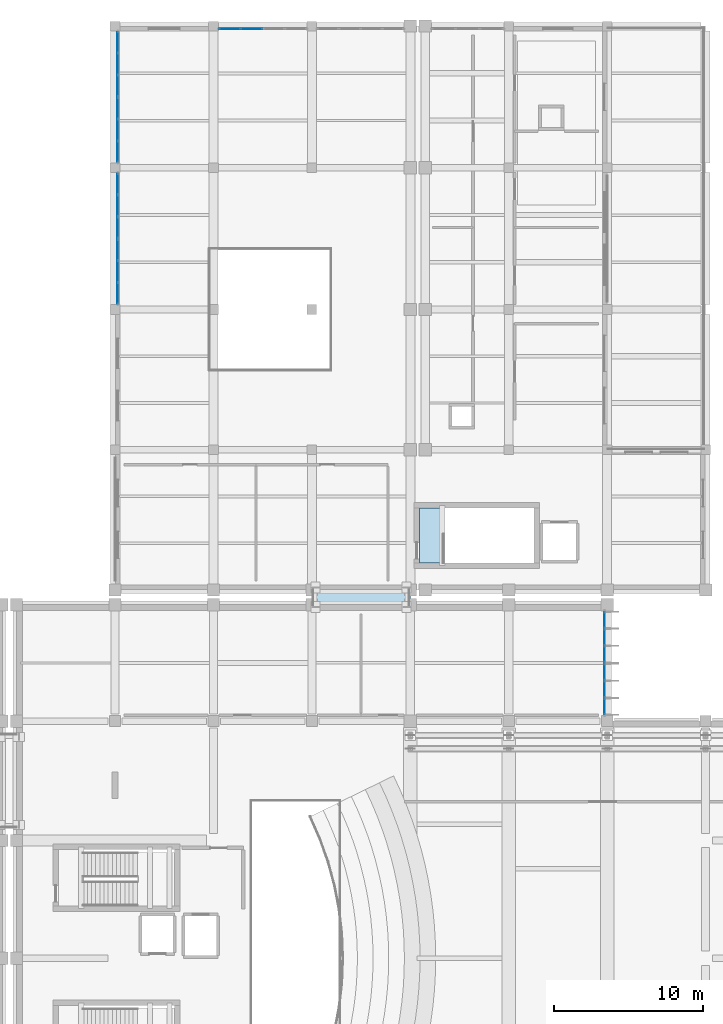
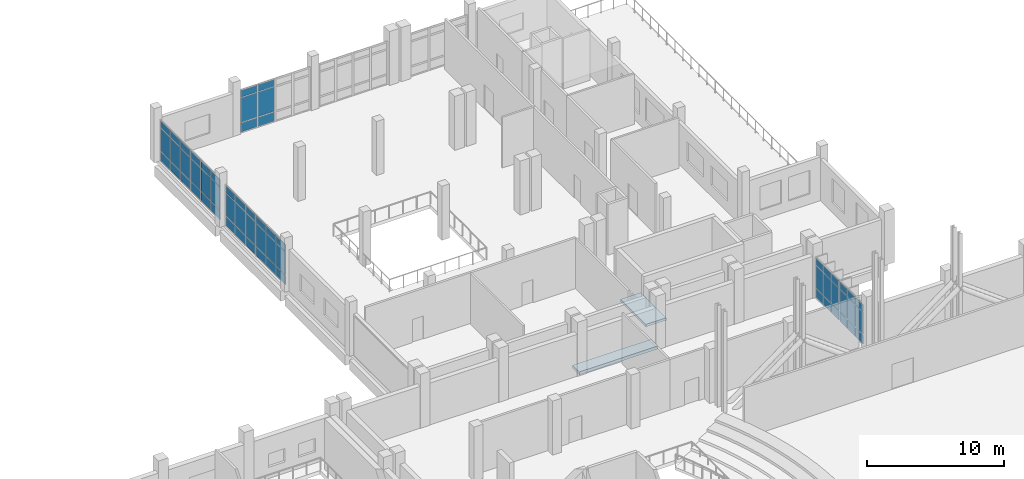
# One storey, part 44 of 73: 60 plates, 2 slabs, 7 elements without a shape of their own.
"""IFC4 building model written with IfcOpenShell, lengths in metres."""

import ifcopenshell
import ifcopenshell.guid

model = None  # the IFC model being written
_history = None  # IfcOwnerHistory: only IFC2X3 demands one
_inside = {}  # id of a spatial element -> (the spatial element, [elements in it])
_under = {}  # id of a project, library or spatial element -> (it, [spatial elements below it])
_declared = {}  # id of a project -> (the project, [libraries it declares])
_typed = {}  # id of a type object -> (the type object, [elements of that type])
_made_of = {}  # id of a material, layer set ... -> (it, [elements and type objects made of it])


def new_model(schema):
    """Start an empty IFC model of exactly this schema.

    Asked for "IFC4X3", IfcOpenShell would pick the latest addendum, in which some entities
    have other attributes; the version numbers below select the first issue.
    IFC2X3 requires an IfcOwnerHistory on every rooted entity: one is made here for all.
    """
    global model, _history
    if schema == "IFC4X3":
        model = ifcopenshell.file(schema_version=(4, 3, 0, 0))
    else:
        model = ifcopenshell.file(schema=schema)
    _inside.clear()
    _under.clear()
    _declared.clear()
    _typed.clear()
    _made_of.clear()
    _history = None
    if model.schema == "IFC2X3":
        org = make("IfcOrganization", Name="unknown")
        user = make(
            "IfcPersonAndOrganization",
            ThePerson=make("IfcPerson", FamilyName="unknown"),
            TheOrganization=org,
        )
        app = make(
            "IfcApplication",
            ApplicationDeveloper=org,
            Version="unknown",
            ApplicationFullName="unknown",
            ApplicationIdentifier="unknown",
        )
        _history = make(
            "IfcOwnerHistory",
            OwningUser=user,
            OwningApplication=app,
            ChangeAction="ADDED",
            CreationDate=0,
        )
    return model


def make(cls, **values):
    """One entity of the class cls with the attributes given. An attribute that is None is left unset."""
    return model.create_entity(
        cls, **{name: value for name, value in values.items() if value is not None}
    )


def rooted(cls, **values):
    """An entity with a GlobalId (a new one), such as an element, a storey or a relation."""
    return make(cls, GlobalId=ifcopenshell.guid.new(), OwnerHistory=_history, **values)


def si_unit(unit_type, name, prefix=None):
    """IfcSIUnit, for example si_unit("LENGTHUNIT", "METRE", prefix="MILLI")."""
    return make("IfcSIUnit", UnitType=unit_type, Prefix=prefix, Name=name)


def assignment(units):
    """IfcUnitAssignment: the units of a project."""
    return None if units is None else make("IfcUnitAssignment", Units=units)


def point(xyz):
    """IfcCartesianPoint."""
    return None if xyz is None else make("IfcCartesianPoint", Coordinates=xyz)


def direction(xyz):
    """IfcDirection."""
    return None if xyz is None else make("IfcDirection", DirectionRatios=xyz)


def frame(location, z_axis=None, x_axis=None):
    """IfcAxis2Placement3D, a coordinate frame: its origin and axes. An axis left out is left unset."""
    return make(
        "IfcAxis2Placement3D",
        Location=point(location),
        Axis=direction(z_axis),
        RefDirection=direction(x_axis),
    )


def frame_2d(location, x_axis=None):
    """IfcAxis2Placement2D, a coordinate frame in the plane: its origin and x axis."""
    return make(
        "IfcAxis2Placement2D", Location=point(location), RefDirection=direction(x_axis)
    )


def origin():
    """The frame at (0, 0, 0) with its axes left unset."""
    return frame((0.0, 0.0, 0.0))


def origin_2d():
    """The frame at (0, 0) in the plane with its x axis left unset."""
    return frame_2d((0.0, 0.0))


def place(relative_to, where):
    """IfcLocalPlacement: puts the frame where relative to a parent placement (None: the world)."""
    return make(
        "IfcLocalPlacement", PlacementRelTo=relative_to, RelativePlacement=where
    )


def context(
    kind, dimensions, precision=None, world=None, true_north=None, identifier=None
):
    """IfcGeometricRepresentationContext, for example the 3D "Model" context."""
    return make(
        "IfcGeometricRepresentationContext",
        ContextIdentifier=identifier,
        ContextType=kind,
        CoordinateSpaceDimension=dimensions,
        Precision=precision,
        WorldCoordinateSystem=world,
        TrueNorth=true_north,
    )


def subcontext(parent, identifier, kind, view, scale=None):
    """IfcGeometricRepresentationSubContext, for example "Body" below "Model"."""
    return make(
        "IfcGeometricRepresentationSubContext",
        ContextIdentifier=identifier,
        ContextType=kind,
        ParentContext=parent,
        TargetScale=scale,
        TargetView=view,
    )


def project(units=None, contexts=None):
    """IfcProject with its units and contexts."""
    return rooted(
        "IfcProject",
        Name="project",
        RepresentationContexts=contexts,
        UnitsInContext=assignment(units),
    )


def spatial(cls, under=None, at=None, **own):
    """A site, building, storey or space (cls), placed at a placement, below another one or the project."""
    s = rooted(cls, ObjectPlacement=at, **own)
    if under is not None:
        _under.setdefault(under.id(), (under, []))[1].append(s)
    return s


def polyline(points):
    """IfcPolyline through the points."""
    return make("IfcPolyline", Points=[point(p) for p in points])


def profile(cls, at=None, kind="AREA", **sizes):
    """A parametric profile (cls). Its sizes go by their IFC names, for example OverallWidth=200.0."""
    return make(cls, ProfileType=kind, Position=at, **sizes)


def rectangle(**sizes):
    """IfcRectangleProfileDef."""
    return profile("IfcRectangleProfileDef", **sizes)


def outline(outer, holes=None, kind="AREA"):
    """IfcArbitraryClosedProfileDef: a profile drawn as a closed curve; with holes, ...WithVoids."""
    if holes is None:
        return make("IfcArbitraryClosedProfileDef", ProfileType=kind, OuterCurve=outer)
    return make(
        "IfcArbitraryProfileDefWithVoids",
        ProfileType=kind,
        OuterCurve=outer,
        InnerCurves=holes,
    )


def extrude(swept, where, along, depth):
    """IfcExtrudedAreaSolid: the profile swept, set in the frame where, extruded along a direction by depth."""
    return make(
        "IfcExtrudedAreaSolid",
        SweptArea=swept,
        Position=where,
        ExtrudedDirection=direction(along),
        Depth=depth,
    )


def shape(context_of_items, identifier, shape_type, items):
    """IfcShapeRepresentation: the items that make up one representation, for example the "Body"."""
    return make(
        "IfcShapeRepresentation",
        ContextOfItems=context_of_items,
        RepresentationIdentifier=identifier,
        RepresentationType=shape_type,
        Items=items,
    )


def material(Name=None, Category=None):
    """IfcMaterial."""
    return make("IfcMaterial", Name=Name, Category=Category)


def layer(
    of_material, thickness, ventilated=None, Name=None, Category=None, Priority=None
):
    """IfcMaterialLayer: one layer of a wall or slab, of a material (None: an air gap)."""
    return make(
        "IfcMaterialLayer",
        Material=of_material,
        LayerThickness=thickness,
        IsVentilated=ventilated,
        Name=Name,
        Category=Category,
        Priority=Priority,
    )


def layer_set(layers, Name=None):
    """IfcMaterialLayerSet."""
    return make("IfcMaterialLayerSet", MaterialLayers=layers, LayerSetName=Name)


def made_of(thing, what):
    """Note that an element or type object is made of a material, layer set ...; save() writes the relation."""
    if what is not None:
        _made_of.setdefault(what.id(), (what, []))[1].append(thing)
    return thing


def type_object(cls, material=None, **own):
    """A type object (cls), such as IfcWallType, which elements share."""
    return made_of(rooted(cls, **own), material)


def element(
    cls,
    number,
    at=None,
    inside=None,
    cuts=None,
    type_object=None,
    material=None,
    context=None,
    identifier="Body",
    shape_type=None,
    held_by="IfcProductDefinitionShape",
    body=None,
    shapes=None,
    **own,
):
    """One element of the class cls, such as IfcWall. Its Tag is "e" and its number.

    at: its placement. inside: the storey or other place that contains it. cuts: it is an
    opening in that element (IfcRelVoidsElement). A single representation is given by context,
    identifier, shape_type and body (its items); several are given by shapes. held_by: the class
    of the entity that holds the representations. save() writes the other relations.
    """
    e = rooted(cls, Tag="e%d" % number, ObjectPlacement=at, **own)
    if body is not None:
        shapes = [shape(context, identifier, shape_type, body)]
    if shapes is not None:
        e.Representation = make(held_by, Representations=shapes)
    if inside is not None:
        _inside.setdefault(inside.id(), (inside, []))[1].append(e)
    if cuts is not None:
        rooted(
            "IfcRelVoidsElement", RelatingBuildingElement=cuts, RelatedOpeningElement=e
        )
    if type_object is not None:
        _typed.setdefault(type_object.id(), (type_object, []))[1].append(e)
    return made_of(e, material)


def aggregate(whole, parts):
    """IfcRelAggregates: a whole, such as a stair, and the parts it consists of."""
    return rooted("IfcRelAggregates", RelatingObject=whole, RelatedObjects=parts)


def save(model, path):
    """Write the relations noted so far, then the file.

    IfcRelAggregates (storeys below a building ...), IfcRelContainedInSpatialStructure (elements
    in a storey), IfcRelDefinesByType, IfcRelAssociatesMaterial and IfcRelDeclares: one each for
    every whole, place, type object, material and project.
    """
    for whole, parts in _under.values():
        aggregate(whole, parts)
    for where, things in _inside.values():
        rooted(
            "IfcRelContainedInSpatialStructure",
            RelatedElements=things,
            RelatingStructure=where,
        )
    for kind, things in _typed.values():
        rooted("IfcRelDefinesByType", RelatedObjects=things, RelatingType=kind)
    for what, things in _made_of.values():
        rooted("IfcRelAssociatesMaterial", RelatedObjects=things, RelatingMaterial=what)
    for by, libraries in _declared.values():
        rooted("IfcRelDeclares", RelatingContext=by, RelatedDefinitions=libraries)
    model.write(path)


model = new_model("IFC4")

# Units and contexts
model_context = context("Model", 3, precision=1e-05, world=origin(), true_north=direction((0.0, 1.0)))
body_context = subcontext(model_context, "Body", "Model", "MODEL_VIEW")
ifc_project = project(units=[si_unit("LENGTHUNIT", "METRE"), si_unit("AREAUNIT", "SQUARE_METRE"), si_unit("VOLUMEUNIT", "CUBIC_METRE"), si_unit("PLANEANGLEUNIT", "RADIAN"), si_unit("MASSUNIT", "GRAM", prefix="KILO")], contexts=[model_context])

# Site, building, storey
site_placement = place(None, origin())
site = spatial("IfcSite", under=ifc_project, at=site_placement, CompositionType="ELEMENT")
building_placement = place(site_placement, origin())
building = spatial("IfcBuilding", under=site, at=building_placement, Name="Kelarvand Opera House", CompositionType="ELEMENT")
storey_placement = place(building_placement, frame((0.0, 0.0, 10.199951171875)))
storey = spatial("IfcBuildingStorey", under=building, at=storey_placement, Name="L02", CompositionType="ELEMENT", Elevation=10.199951171875)

# Curtain wall, plates
ifc_material_1 = material(Name="Thermally broken aluminium and low-E glazing", Category="aluminium")
ifc_layer_1 = layer(ifc_material_1, 0.219970703125, Name="Thermally broken aluminium and low-E glazing", Category="aluminium")
ifc_layer_set_1 = layer_set([ifc_layer_1], Name="Thermally broken aluminium and low-E glazing")
curtain_wall_type_1 = type_object("IfcCurtainWallType", Name="Unitised Low-E Curtain Wall 3493x3630 Mod 1150 CWF-05", PredefinedType="USERDEFINED", material=ifc_layer_set_1)
curtain_wall_1_placement = place(storey_placement, origin())
curtain_wall_1 = element("IfcCurtainWall", 1, at=curtain_wall_1_placement, inside=storey, type_object=curtain_wall_type_1, Name="V1 L02 Curtain Wall CWF-05 (15)", ObjectType="UNITISED CURTAIN WALL", PredefinedType="USERDEFINED")
ifc_material_2 = material(Name="Acoustic triple-laminated low-E glazing", Category="glass")
ifc_layer_2 = layer(ifc_material_2, 0.0400390625, Name="Acoustic triple-laminated low-E glazing", Category="glass")
ifc_layer_set_2 = layer_set([ifc_layer_2], Name="Acoustic triple-laminated low-E glazing")
plate_type_1 = type_object("IfcPlateType", Name="Acoustic Laminated Plaza Curtain Panel 40mm", PredefinedType="CURTAIN_PANEL", material=ifc_layer_set_2)
plate_1_placement = place(storey_placement, frame((128.419921875, 85.178955078125, 0.074951171875), z_axis=(0.0, 0.0, 1.0), x_axis=(0.0, -1.0, 0.0)))
plate_1 = element("IfcPlate", 2, at=plate_1_placement, type_object=plate_type_1, Name="CWF-05 panel 1.1", PredefinedType="CURTAIN_PANEL", context=body_context, shape_type="SweptSolid", body=[
    extrude(rectangle(XDim=1.052001953125, YDim=0.0400390625, at=origin_2d()), origin(), (0.0, 0.0, 1.0), 0.78759765625),
])
plate_2_placement = place(storey_placement, frame((128.419921875, 85.178955078125, 0.9375), z_axis=(0.0, 0.0, 1.0), x_axis=(0.0, -1.0, 0.0)))
plate_2 = element("IfcPlate", 3, at=plate_2_placement, type_object=plate_type_1, Name="CWF-05 panel 1.2", PredefinedType="CURTAIN_PANEL", context=body_context, shape_type="SweptSolid", body=[
    extrude(rectangle(XDim=1.052001953125, YDim=0.0400390625, at=origin_2d()), origin(), (0.0, 0.0, 1.0), 1.955078125),
])
plate_3_placement = place(storey_placement, frame((128.419921875, 85.178955078125, 2.967529296875), z_axis=(0.0, 0.0, 1.0), x_axis=(0.0, -1.0, 0.0)))
plate_3 = element("IfcPlate", 4, at=plate_3_placement, type_object=plate_type_1, Name="CWF-05 panel 1.3", PredefinedType="CURTAIN_PANEL", context=body_context, shape_type="SweptSolid", body=[
    extrude(rectangle(XDim=1.052001953125, YDim=0.0400390625, at=origin_2d()), origin(), (0.0, 0.0, 1.0), 0.58740234375),
])
plate_4_placement = place(storey_placement, frame((128.419921875, 84.033203125, 0.074951171875), z_axis=(0.0, 0.0, 1.0), x_axis=(0.0, -1.0, 0.0)))
plate_4 = element("IfcPlate", 5, at=plate_4_placement, type_object=plate_type_1, Name="CWF-05 panel 2.1", PredefinedType="CURTAIN_PANEL", context=body_context, shape_type="SweptSolid", body=[
    extrude(rectangle(XDim=1.089599609375, YDim=0.0400390625, at=origin_2d()), origin(), (0.0, 0.0, 1.0), 0.78759765625),
])
plate_5_placement = place(storey_placement, frame((128.419921875, 84.033203125, 0.9375), z_axis=(0.0, 0.0, 1.0), x_axis=(0.0, -1.0, 0.0)))
plate_5 = element("IfcPlate", 6, at=plate_5_placement, type_object=plate_type_1, Name="CWF-05 panel 2.2", PredefinedType="CURTAIN_PANEL", context=body_context, shape_type="SweptSolid", body=[
    extrude(rectangle(XDim=1.089599609375, YDim=0.0400390625, at=origin_2d()), origin(), (0.0, 0.0, 1.0), 1.955078125),
])
plate_6_placement = place(storey_placement, frame((128.419921875, 84.033203125, 2.967529296875), z_axis=(0.0, 0.0, 1.0), x_axis=(0.0, -1.0, 0.0)))
plate_6 = element("IfcPlate", 7, at=plate_6_placement, type_object=plate_type_1, Name="CWF-05 panel 2.3", PredefinedType="CURTAIN_PANEL", context=body_context, shape_type="SweptSolid", body=[
    extrude(rectangle(XDim=1.089599609375, YDim=0.0400390625, at=origin_2d()), origin(), (0.0, 0.0, 1.0), 0.58740234375),
])
plate_7_placement = place(storey_placement, frame((128.419921875, 82.887451171875, 0.074951171875), z_axis=(0.0, 0.0, 1.0), x_axis=(0.0, -1.0, 0.0)))
plate_7 = element("IfcPlate", 8, at=plate_7_placement, type_object=plate_type_1, Name="CWF-05 panel 3.1", PredefinedType="CURTAIN_PANEL", context=body_context, shape_type="SweptSolid", body=[
    extrude(rectangle(XDim=1.052001953125, YDim=0.0400390625, at=origin_2d()), origin(), (0.0, 0.0, 1.0), 0.78759765625),
])
plate_8_placement = place(storey_placement, frame((128.419921875, 82.887451171875, 0.9375), z_axis=(0.0, 0.0, 1.0), x_axis=(0.0, -1.0, 0.0)))
plate_8 = element("IfcPlate", 9, at=plate_8_placement, type_object=plate_type_1, Name="CWF-05 panel 3.2", PredefinedType="CURTAIN_PANEL", context=body_context, shape_type="SweptSolid", body=[
    extrude(rectangle(XDim=1.052001953125, YDim=0.0400390625, at=origin_2d()), origin(), (0.0, 0.0, 1.0), 1.955078125),
])
plate_9_placement = place(storey_placement, frame((128.419921875, 82.887451171875, 2.967529296875), z_axis=(0.0, 0.0, 1.0), x_axis=(0.0, -1.0, 0.0)))
plate_9 = element("IfcPlate", 10, at=plate_9_placement, type_object=plate_type_1, Name="CWF-05 panel 3.3", PredefinedType="CURTAIN_PANEL", context=body_context, shape_type="SweptSolid", body=[
    extrude(rectangle(XDim=1.052001953125, YDim=0.0400390625, at=origin_2d()), origin(), (0.0, 0.0, 1.0), 0.58740234375),
])
aggregate(curtain_wall_1, [plate_1, plate_2, plate_3, plate_4, plate_5, plate_6, plate_7, plate_8, plate_9])

curtain_wall_2_placement = place(storey_placement, origin())
curtain_wall_2 = element("IfcCurtainWall", 11, at=curtain_wall_2_placement, inside=storey, type_object=curtain_wall_type_1, Name="V1 L02 Curtain Wall CWF-05 (16)", ObjectType="UNITISED CURTAIN WALL", PredefinedType="USERDEFINED")
plate_10_placement = place(storey_placement, frame((128.419921875, 81.680908203125, 0.074951171875), z_axis=(0.0, 0.0, 1.0), x_axis=(0.0, -1.0, 0.0)))
plate_10 = element("IfcPlate", 12, at=plate_10_placement, type_object=plate_type_1, Name="CWF-05 panel 1.1", PredefinedType="CURTAIN_PANEL", context=body_context, shape_type="SweptSolid", body=[
    extrude(rectangle(XDim=1.05322265625, YDim=0.0400390625, at=origin_2d()), origin(), (0.0, 0.0, 1.0), 0.78759765625),
])
plate_11_placement = place(storey_placement, frame((128.419921875, 81.680908203125, 0.9375), z_axis=(0.0, 0.0, 1.0), x_axis=(0.0, -1.0, 0.0)))
plate_11 = element("IfcPlate", 13, at=plate_11_placement, type_object=plate_type_1, Name="CWF-05 panel 1.2", PredefinedType="CURTAIN_PANEL", context=body_context, shape_type="SweptSolid", body=[
    extrude(rectangle(XDim=1.05322265625, YDim=0.0400390625, at=origin_2d()), origin(), (0.0, 0.0, 1.0), 1.955078125),
])
plate_12_placement = place(storey_placement, frame((128.419921875, 81.680908203125, 2.967529296875), z_axis=(0.0, 0.0, 1.0), x_axis=(0.0, -1.0, 0.0)))
plate_12 = element("IfcPlate", 14, at=plate_12_placement, type_object=plate_type_1, Name="CWF-05 panel 1.3", PredefinedType="CURTAIN_PANEL", context=body_context, shape_type="SweptSolid", body=[
    extrude(rectangle(XDim=1.05322265625, YDim=0.0400390625, at=origin_2d()), origin(), (0.0, 0.0, 1.0), 0.58740234375),
])
plate_13_placement = place(storey_placement, frame((128.419921875, 80.53369140625, 0.074951171875), z_axis=(0.0, 0.0, 1.0), x_axis=(0.0, -1.0, 0.0)))
plate_13 = element("IfcPlate", 15, at=plate_13_placement, type_object=plate_type_1, Name="CWF-05 panel 2.1", PredefinedType="CURTAIN_PANEL", context=body_context, shape_type="SweptSolid", body=[
    extrude(rectangle(XDim=1.0908203125, YDim=0.0400390625, at=origin_2d()), origin(), (0.0, 0.0, 1.0), 0.78759765625),
])
plate_14_placement = place(storey_placement, frame((128.419921875, 80.53369140625, 0.9375), z_axis=(0.0, 0.0, 1.0), x_axis=(0.0, -1.0, 0.0)))
plate_14 = element("IfcPlate", 16, at=plate_14_placement, type_object=plate_type_1, Name="CWF-05 panel 2.2", PredefinedType="CURTAIN_PANEL", context=body_context, shape_type="SweptSolid", body=[
    extrude(rectangle(XDim=1.0908203125, YDim=0.0400390625, at=origin_2d()), origin(), (0.0, 0.0, 1.0), 1.955078125),
])
plate_15_placement = place(storey_placement, frame((128.419921875, 80.53369140625, 2.967529296875), z_axis=(0.0, 0.0, 1.0), x_axis=(0.0, -1.0, 0.0)))
plate_15 = element("IfcPlate", 17, at=plate_15_placement, type_object=plate_type_1, Name="CWF-05 panel 2.3", PredefinedType="CURTAIN_PANEL", context=body_context, shape_type="SweptSolid", body=[
    extrude(rectangle(XDim=1.0908203125, YDim=0.0400390625, at=origin_2d()), origin(), (0.0, 0.0, 1.0), 0.58740234375),
])
plate_16_placement = place(storey_placement, frame((128.419921875, 79.38671875, 0.074951171875), z_axis=(0.0, 0.0, 1.0), x_axis=(0.0, -1.0, 0.0)))
plate_16 = element("IfcPlate", 18, at=plate_16_placement, type_object=plate_type_1, Name="CWF-05 panel 3.1", PredefinedType="CURTAIN_PANEL", context=body_context, shape_type="SweptSolid", body=[
    extrude(rectangle(XDim=1.05322265625, YDim=0.0400390625, at=origin_2d()), origin(), (0.0, 0.0, 1.0), 0.78759765625),
])
plate_17_placement = place(storey_placement, frame((128.419921875, 79.38671875, 0.9375), z_axis=(0.0, 0.0, 1.0), x_axis=(0.0, -1.0, 0.0)))
plate_17 = element("IfcPlate", 19, at=plate_17_placement, type_object=plate_type_1, Name="CWF-05 panel 3.2", PredefinedType="CURTAIN_PANEL", context=body_context, shape_type="SweptSolid", body=[
    extrude(rectangle(XDim=1.05322265625, YDim=0.0400390625, at=origin_2d()), origin(), (0.0, 0.0, 1.0), 1.955078125),
])
plate_18_placement = place(storey_placement, frame((128.419921875, 79.38671875, 2.967529296875), z_axis=(0.0, 0.0, 1.0), x_axis=(0.0, -1.0, 0.0)))
plate_18 = element("IfcPlate", 20, at=plate_18_placement, type_object=plate_type_1, Name="CWF-05 panel 3.3", PredefinedType="CURTAIN_PANEL", context=body_context, shape_type="SweptSolid", body=[
    extrude(rectangle(XDim=1.05322265625, YDim=0.0400390625, at=origin_2d()), origin(), (0.0, 0.0, 1.0), 0.58740234375),
])
aggregate(curtain_wall_2, [plate_10, plate_11, plate_12, plate_13, plate_14, plate_15, plate_16, plate_17, plate_18])

# Slab
ifc_material_3 = material(Name="Concrete C35/45", Category="concrete")
ifc_layer_3 = layer(ifc_material_3, 0.219970703125, Name="Concrete C35/45", Category="concrete")
ifc_layer_set_3 = layer_set([ifc_layer_3], Name="Concrete C35/45")
slab_type_1 = type_object("IfcSlabType", Name="Core Stair Entry Landing Slab 220", PredefinedType="LANDING", material=ifc_layer_set_3)
slab_1_placement = place(storey_placement, frame((0.0, 0.0, -0.219970703125)))
element("IfcSlab", 21, at=slab_1_placement, inside=storey, type_object=slab_type_1, Name="C7 Stair Entry Landing L02", PredefinedType="LANDING", context=body_context, shape_type="SweptSolid", body=[
    extrude(outline(polyline([(116.0, 89.0), (117.719970703125, 89.0), (117.719970703125, 92.699951171875), (116.0, 92.699951171875), (116.0, 89.0)])), origin(), (0.0, 0.0, 1.0), 0.219970703125),
])

# Curtain wall, plates
ifc_layer_4 = layer(ifc_material_1, 0.179931640625, Name="Thermally broken aluminium and low-E glazing", Category="aluminium")
ifc_layer_set_4 = layer_set([ifc_layer_4], Name="Thermally broken aluminium and low-E glazing")
curtain_wall_type_2 = type_object("IfcCurtainWallType", Name="Unitised Low-E Curtain Wall 4411x3680 Mod 1450 CWF-47", PredefinedType="USERDEFINED", material=ifc_layer_set_4)
curtain_wall_3_placement = place(storey_placement, origin())
curtain_wall_3 = element("IfcCurtainWall", 22, at=curtain_wall_3_placement, inside=storey, type_object=curtain_wall_type_2, Name="V5 L02 Curtain Wall CWF-47 (190)", ObjectType="UNITISED CURTAIN WALL", PredefinedType="USERDEFINED")
ifc_material_4 = material(Name="Low-E laminated double glazing", Category="glass")
ifc_layer_5 = layer(ifc_material_4, 0.031982421875, Name="Low-E laminated double glazing", Category="glass")
ifc_layer_set_5 = layer_set([ifc_layer_5], Name="Low-E laminated double glazing")
plate_type_2 = type_object("IfcPlateType", Name="Low-E Argon Double Glazed Curtain Panel 32mm", PredefinedType="CURTAIN_PANEL", material=ifc_layer_set_5)
plate_19_placement = place(storey_placement, frame((95.780029296875, 107.08642578125, 0.06494140625), z_axis=(0.0, 0.0, 1.0), x_axis=(0.0, 1.0, 0.0)))
plate_19 = element("IfcPlate", 23, at=plate_19_placement, type_object=plate_type_2, Name="CWF-47 panel 1.1", PredefinedType="CURTAIN_PANEL", context=body_context, shape_type="SweptSolid", body=[
    extrude(rectangle(XDim=1.372802734375, YDim=0.031982421875, at=origin_2d()), origin(), (0.0, 0.0, 1.0), 0.802490234375),
])
plate_20_placement = place(storey_placement, frame((95.780029296875, 107.08642578125, 0.9326171875), z_axis=(0.0, 0.0, 1.0), x_axis=(0.0, 1.0, 0.0)))
plate_20 = element("IfcPlate", 24, at=plate_20_placement, type_object=plate_type_2, Name="CWF-47 panel 1.2", PredefinedType="CURTAIN_PANEL", context=body_context, shape_type="SweptSolid", body=[
    extrude(rectangle(XDim=1.372802734375, YDim=0.031982421875, at=origin_2d()), origin(), (0.0, 0.0, 1.0), 2.014892578125),
])
plate_21_placement = place(storey_placement, frame((95.780029296875, 107.08642578125, 3.012451171875), z_axis=(0.0, 0.0, 1.0), x_axis=(0.0, 1.0, 0.0)))
plate_21 = element("IfcPlate", 25, at=plate_21_placement, type_object=plate_type_2, Name="CWF-47 panel 1.3", PredefinedType="CURTAIN_PANEL", context=body_context, shape_type="SweptSolid", body=[
    extrude(rectangle(XDim=1.372802734375, YDim=0.031982421875, at=origin_2d()), origin(), (0.0, 0.0, 1.0), 0.6025390625),
])
plate_22_placement = place(storey_placement, frame((95.780029296875, 108.54052734375, 0.06494140625), z_axis=(0.0, 0.0, 1.0), x_axis=(0.0, 1.0, 0.0)))
plate_22 = element("IfcPlate", 26, at=plate_22_placement, type_object=plate_type_2, Name="CWF-47 panel 2.1", PredefinedType="CURTAIN_PANEL", context=body_context, shape_type="SweptSolid", body=[
    extrude(rectangle(XDim=1.4052734375, YDim=0.031982421875, at=origin_2d()), origin(), (0.0, 0.0, 1.0), 0.802490234375),
])
plate_23_placement = place(storey_placement, frame((95.780029296875, 108.54052734375, 0.9326171875), z_axis=(0.0, 0.0, 1.0), x_axis=(0.0, 1.0, 0.0)))
plate_23 = element("IfcPlate", 27, at=plate_23_placement, type_object=plate_type_2, Name="CWF-47 panel 2.2", PredefinedType="CURTAIN_PANEL", context=body_context, shape_type="SweptSolid", body=[
    extrude(rectangle(XDim=1.4052734375, YDim=0.031982421875, at=origin_2d()), origin(), (0.0, 0.0, 1.0), 2.014892578125),
])
plate_24_placement = place(storey_placement, frame((95.780029296875, 108.54052734375, 3.012451171875), z_axis=(0.0, 0.0, 1.0), x_axis=(0.0, 1.0, 0.0)))
plate_24 = element("IfcPlate", 28, at=plate_24_placement, type_object=plate_type_2, Name="CWF-47 panel 2.3", PredefinedType="CURTAIN_PANEL", context=body_context, shape_type="SweptSolid", body=[
    extrude(rectangle(XDim=1.4052734375, YDim=0.031982421875, at=origin_2d()), origin(), (0.0, 0.0, 1.0), 0.6025390625),
])
plate_25_placement = place(storey_placement, frame((95.780029296875, 109.99462890625, 0.06494140625), z_axis=(0.0, 0.0, 1.0), x_axis=(0.0, 1.0, 0.0)))
plate_25 = element("IfcPlate", 29, at=plate_25_placement, type_object=plate_type_2, Name="CWF-47 panel 3.1", PredefinedType="CURTAIN_PANEL", context=body_context, shape_type="SweptSolid", body=[
    extrude(rectangle(XDim=1.372802734375, YDim=0.031982421875, at=origin_2d()), origin(), (0.0, 0.0, 1.0), 0.802490234375),
])
plate_26_placement = place(storey_placement, frame((95.780029296875, 109.99462890625, 0.9326171875), z_axis=(0.0, 0.0, 1.0), x_axis=(0.0, 1.0, 0.0)))
plate_26 = element("IfcPlate", 30, at=plate_26_placement, type_object=plate_type_2, Name="CWF-47 panel 3.2", PredefinedType="CURTAIN_PANEL", context=body_context, shape_type="SweptSolid", body=[
    extrude(rectangle(XDim=1.372802734375, YDim=0.031982421875, at=origin_2d()), origin(), (0.0, 0.0, 1.0), 2.014892578125),
])
plate_27_placement = place(storey_placement, frame((95.780029296875, 109.99462890625, 3.012451171875), z_axis=(0.0, 0.0, 1.0), x_axis=(0.0, 1.0, 0.0)))
plate_27 = element("IfcPlate", 31, at=plate_27_placement, type_object=plate_type_2, Name="CWF-47 panel 3.3", PredefinedType="CURTAIN_PANEL", context=body_context, shape_type="SweptSolid", body=[
    extrude(rectangle(XDim=1.372802734375, YDim=0.031982421875, at=origin_2d()), origin(), (0.0, 0.0, 1.0), 0.6025390625),
])
aggregate(curtain_wall_3, [plate_19, plate_20, plate_21, plate_22, plate_23, plate_24, plate_25, plate_26, plate_27])

curtain_wall_4_placement = place(storey_placement, origin())
curtain_wall_4 = element("IfcCurtainWall", 32, at=curtain_wall_4_placement, inside=storey, type_object=curtain_wall_type_2, Name="V5 L02 Curtain Wall CWF-47 (191)", ObjectType="UNITISED CURTAIN WALL", PredefinedType="USERDEFINED")
plate_28_placement = place(storey_placement, frame((95.780029296875, 111.502197265625, 0.06494140625), z_axis=(0.0, 0.0, 1.0), x_axis=(0.0, 1.0, 0.0)))
plate_28 = element("IfcPlate", 33, at=plate_28_placement, type_object=plate_type_2, Name="CWF-47 panel 1.1", PredefinedType="CURTAIN_PANEL", context=body_context, shape_type="SweptSolid", body=[
    extrude(rectangle(XDim=1.374267578125, YDim=0.031982421875, at=origin_2d()), origin(), (0.0, 0.0, 1.0), 0.802490234375),
])
plate_29_placement = place(storey_placement, frame((95.780029296875, 111.502197265625, 0.9326171875), z_axis=(0.0, 0.0, 1.0), x_axis=(0.0, 1.0, 0.0)))
plate_29 = element("IfcPlate", 34, at=plate_29_placement, type_object=plate_type_2, Name="CWF-47 panel 1.2", PredefinedType="CURTAIN_PANEL", context=body_context, shape_type="SweptSolid", body=[
    extrude(rectangle(XDim=1.374267578125, YDim=0.031982421875, at=origin_2d()), origin(), (0.0, 0.0, 1.0), 2.014892578125),
])
plate_30_placement = place(storey_placement, frame((95.780029296875, 111.502197265625, 3.012451171875), z_axis=(0.0, 0.0, 1.0), x_axis=(0.0, 1.0, 0.0)))
plate_30 = element("IfcPlate", 35, at=plate_30_placement, type_object=plate_type_2, Name="CWF-47 panel 1.3", PredefinedType="CURTAIN_PANEL", context=body_context, shape_type="SweptSolid", body=[
    extrude(rectangle(XDim=1.374267578125, YDim=0.031982421875, at=origin_2d()), origin(), (0.0, 0.0, 1.0), 0.6025390625),
])
plate_31_placement = place(storey_placement, frame((95.780029296875, 112.95751953125, 0.06494140625), z_axis=(0.0, 0.0, 1.0), x_axis=(0.0, 1.0, 0.0)))
plate_31 = element("IfcPlate", 36, at=plate_31_placement, type_object=plate_type_2, Name="CWF-47 panel 2.1", PredefinedType="CURTAIN_PANEL", context=body_context, shape_type="SweptSolid", body=[
    extrude(rectangle(XDim=1.40673828125, YDim=0.031982421875, at=origin_2d()), origin(), (0.0, 0.0, 1.0), 0.802490234375),
])
plate_32_placement = place(storey_placement, frame((95.780029296875, 112.95751953125, 0.9326171875), z_axis=(0.0, 0.0, 1.0), x_axis=(0.0, 1.0, 0.0)))
plate_32 = element("IfcPlate", 37, at=plate_32_placement, type_object=plate_type_2, Name="CWF-47 panel 2.2", PredefinedType="CURTAIN_PANEL", context=body_context, shape_type="SweptSolid", body=[
    extrude(rectangle(XDim=1.40673828125, YDim=0.031982421875, at=origin_2d()), origin(), (0.0, 0.0, 1.0), 2.014892578125),
])
plate_33_placement = place(storey_placement, frame((95.780029296875, 112.95751953125, 3.012451171875), z_axis=(0.0, 0.0, 1.0), x_axis=(0.0, 1.0, 0.0)))
plate_33 = element("IfcPlate", 38, at=plate_33_placement, type_object=plate_type_2, Name="CWF-47 panel 2.3", PredefinedType="CURTAIN_PANEL", context=body_context, shape_type="SweptSolid", body=[
    extrude(rectangle(XDim=1.40673828125, YDim=0.031982421875, at=origin_2d()), origin(), (0.0, 0.0, 1.0), 0.6025390625),
])
plate_34_placement = place(storey_placement, frame((95.780029296875, 114.412841796875, 0.06494140625), z_axis=(0.0, 0.0, 1.0), x_axis=(0.0, 1.0, 0.0)))
plate_34 = element("IfcPlate", 39, at=plate_34_placement, type_object=plate_type_2, Name="CWF-47 panel 3.1", PredefinedType="CURTAIN_PANEL", context=body_context, shape_type="SweptSolid", body=[
    extrude(rectangle(XDim=1.374267578125, YDim=0.031982421875, at=origin_2d()), origin(), (0.0, 0.0, 1.0), 0.802490234375),
])
plate_35_placement = place(storey_placement, frame((95.780029296875, 114.412841796875, 0.9326171875), z_axis=(0.0, 0.0, 1.0), x_axis=(0.0, 1.0, 0.0)))
plate_35 = element("IfcPlate", 40, at=plate_35_placement, type_object=plate_type_2, Name="CWF-47 panel 3.2", PredefinedType="CURTAIN_PANEL", context=body_context, shape_type="SweptSolid", body=[
    extrude(rectangle(XDim=1.374267578125, YDim=0.031982421875, at=origin_2d()), origin(), (0.0, 0.0, 1.0), 2.014892578125),
])
plate_36_placement = place(storey_placement, frame((95.780029296875, 114.412841796875, 3.012451171875), z_axis=(0.0, 0.0, 1.0), x_axis=(0.0, 1.0, 0.0)))
plate_36 = element("IfcPlate", 41, at=plate_36_placement, type_object=plate_type_2, Name="CWF-47 panel 3.3", PredefinedType="CURTAIN_PANEL", context=body_context, shape_type="SweptSolid", body=[
    extrude(rectangle(XDim=1.374267578125, YDim=0.031982421875, at=origin_2d()), origin(), (0.0, 0.0, 1.0), 0.6025390625),
])
aggregate(curtain_wall_4, [plate_28, plate_29, plate_30, plate_31, plate_32, plate_33, plate_34, plate_35, plate_36])

curtain_wall_5_placement = place(storey_placement, origin())
curtain_wall_5 = element("IfcCurtainWall", 42, at=curtain_wall_5_placement, inside=storey, type_object=curtain_wall_type_2, Name="V5 L02 Curtain Wall CWF-47 (192)", ObjectType="UNITISED CURTAIN WALL", PredefinedType="USERDEFINED")
plate_37_placement = place(storey_placement, frame((95.780029296875, 116.58642578125, 0.06494140625), z_axis=(0.0, 0.0, 1.0), x_axis=(0.0, 1.0, 0.0)))
plate_37 = element("IfcPlate", 43, at=plate_37_placement, type_object=plate_type_2, Name="CWF-47 panel 1.1", PredefinedType="CURTAIN_PANEL", context=body_context, shape_type="SweptSolid", body=[
    extrude(rectangle(XDim=1.372802734375, YDim=0.031982421875, at=origin_2d()), origin(), (0.0, 0.0, 1.0), 0.802490234375),
])
plate_38_placement = place(storey_placement, frame((95.780029296875, 116.58642578125, 0.9326171875), z_axis=(0.0, 0.0, 1.0), x_axis=(0.0, 1.0, 0.0)))
plate_38 = element("IfcPlate", 44, at=plate_38_placement, type_object=plate_type_2, Name="CWF-47 panel 1.2", PredefinedType="CURTAIN_PANEL", context=body_context, shape_type="SweptSolid", body=[
    extrude(rectangle(XDim=1.372802734375, YDim=0.031982421875, at=origin_2d()), origin(), (0.0, 0.0, 1.0), 2.014892578125),
])
plate_39_placement = place(storey_placement, frame((95.780029296875, 116.58642578125, 3.012451171875), z_axis=(0.0, 0.0, 1.0), x_axis=(0.0, 1.0, 0.0)))
plate_39 = element("IfcPlate", 45, at=plate_39_placement, type_object=plate_type_2, Name="CWF-47 panel 1.3", PredefinedType="CURTAIN_PANEL", context=body_context, shape_type="SweptSolid", body=[
    extrude(rectangle(XDim=1.372802734375, YDim=0.031982421875, at=origin_2d()), origin(), (0.0, 0.0, 1.0), 0.6025390625),
])
plate_40_placement = place(storey_placement, frame((95.780029296875, 118.04052734375, 0.06494140625), z_axis=(0.0, 0.0, 1.0), x_axis=(0.0, 1.0, 0.0)))
plate_40 = element("IfcPlate", 46, at=plate_40_placement, type_object=plate_type_2, Name="CWF-47 panel 2.1", PredefinedType="CURTAIN_PANEL", context=body_context, shape_type="SweptSolid", body=[
    extrude(rectangle(XDim=1.4052734375, YDim=0.031982421875, at=origin_2d()), origin(), (0.0, 0.0, 1.0), 0.802490234375),
])
plate_41_placement = place(storey_placement, frame((95.780029296875, 118.04052734375, 0.9326171875), z_axis=(0.0, 0.0, 1.0), x_axis=(0.0, 1.0, 0.0)))
plate_41 = element("IfcPlate", 47, at=plate_41_placement, type_object=plate_type_2, Name="CWF-47 panel 2.2", PredefinedType="CURTAIN_PANEL", context=body_context, shape_type="SweptSolid", body=[
    extrude(rectangle(XDim=1.4052734375, YDim=0.031982421875, at=origin_2d()), origin(), (0.0, 0.0, 1.0), 2.014892578125),
])
plate_42_placement = place(storey_placement, frame((95.780029296875, 118.04052734375, 3.012451171875), z_axis=(0.0, 0.0, 1.0), x_axis=(0.0, 1.0, 0.0)))
plate_42 = element("IfcPlate", 48, at=plate_42_placement, type_object=plate_type_2, Name="CWF-47 panel 2.3", PredefinedType="CURTAIN_PANEL", context=body_context, shape_type="SweptSolid", body=[
    extrude(rectangle(XDim=1.4052734375, YDim=0.031982421875, at=origin_2d()), origin(), (0.0, 0.0, 1.0), 0.6025390625),
])
plate_43_placement = place(storey_placement, frame((95.780029296875, 119.49462890625, 0.06494140625), z_axis=(0.0, 0.0, 1.0), x_axis=(0.0, 1.0, 0.0)))
plate_43 = element("IfcPlate", 49, at=plate_43_placement, type_object=plate_type_2, Name="CWF-47 panel 3.1", PredefinedType="CURTAIN_PANEL", context=body_context, shape_type="SweptSolid", body=[
    extrude(rectangle(XDim=1.372802734375, YDim=0.031982421875, at=origin_2d()), origin(), (0.0, 0.0, 1.0), 0.802490234375),
])
plate_44_placement = place(storey_placement, frame((95.780029296875, 119.49462890625, 0.9326171875), z_axis=(0.0, 0.0, 1.0), x_axis=(0.0, 1.0, 0.0)))
plate_44 = element("IfcPlate", 50, at=plate_44_placement, type_object=plate_type_2, Name="CWF-47 panel 3.2", PredefinedType="CURTAIN_PANEL", context=body_context, shape_type="SweptSolid", body=[
    extrude(rectangle(XDim=1.372802734375, YDim=0.031982421875, at=origin_2d()), origin(), (0.0, 0.0, 1.0), 2.014892578125),
])
plate_45_placement = place(storey_placement, frame((95.780029296875, 119.49462890625, 3.012451171875), z_axis=(0.0, 0.0, 1.0), x_axis=(0.0, 1.0, 0.0)))
plate_45 = element("IfcPlate", 51, at=plate_45_placement, type_object=plate_type_2, Name="CWF-47 panel 3.3", PredefinedType="CURTAIN_PANEL", context=body_context, shape_type="SweptSolid", body=[
    extrude(rectangle(XDim=1.372802734375, YDim=0.031982421875, at=origin_2d()), origin(), (0.0, 0.0, 1.0), 0.6025390625),
])
aggregate(curtain_wall_5, [plate_37, plate_38, plate_39, plate_40, plate_41, plate_42, plate_43, plate_44, plate_45])

curtain_wall_6_placement = place(storey_placement, origin())
curtain_wall_6 = element("IfcCurtainWall", 52, at=curtain_wall_6_placement, inside=storey, type_object=curtain_wall_type_2, Name="V5 L02 Curtain Wall CWF-47 (193)", ObjectType="UNITISED CURTAIN WALL", PredefinedType="USERDEFINED")
plate_46_placement = place(storey_placement, frame((95.780029296875, 121.002197265625, 0.06494140625), z_axis=(0.0, 0.0, 1.0), x_axis=(0.0, 1.0, 0.0)))
plate_46 = element("IfcPlate", 53, at=plate_46_placement, type_object=plate_type_2, Name="CWF-47 panel 1.1", PredefinedType="CURTAIN_PANEL", context=body_context, shape_type="SweptSolid", body=[
    extrude(rectangle(XDim=1.374267578125, YDim=0.031982421875, at=origin_2d()), origin(), (0.0, 0.0, 1.0), 0.802490234375),
])
plate_47_placement = place(storey_placement, frame((95.780029296875, 121.002197265625, 0.9326171875), z_axis=(0.0, 0.0, 1.0), x_axis=(0.0, 1.0, 0.0)))
plate_47 = element("IfcPlate", 54, at=plate_47_placement, type_object=plate_type_2, Name="CWF-47 panel 1.2", PredefinedType="CURTAIN_PANEL", context=body_context, shape_type="SweptSolid", body=[
    extrude(rectangle(XDim=1.374267578125, YDim=0.031982421875, at=origin_2d()), origin(), (0.0, 0.0, 1.0), 2.014892578125),
])
plate_48_placement = place(storey_placement, frame((95.780029296875, 121.002197265625, 3.012451171875), z_axis=(0.0, 0.0, 1.0), x_axis=(0.0, 1.0, 0.0)))
plate_48 = element("IfcPlate", 55, at=plate_48_placement, type_object=plate_type_2, Name="CWF-47 panel 1.3", PredefinedType="CURTAIN_PANEL", context=body_context, shape_type="SweptSolid", body=[
    extrude(rectangle(XDim=1.374267578125, YDim=0.031982421875, at=origin_2d()), origin(), (0.0, 0.0, 1.0), 0.6025390625),
])
plate_49_placement = place(storey_placement, frame((95.780029296875, 122.45751953125, 0.06494140625), z_axis=(0.0, 0.0, 1.0), x_axis=(0.0, 1.0, 0.0)))
plate_49 = element("IfcPlate", 56, at=plate_49_placement, type_object=plate_type_2, Name="CWF-47 panel 2.1", PredefinedType="CURTAIN_PANEL", context=body_context, shape_type="SweptSolid", body=[
    extrude(rectangle(XDim=1.40673828125, YDim=0.031982421875, at=origin_2d()), origin(), (0.0, 0.0, 1.0), 0.802490234375),
])
plate_50_placement = place(storey_placement, frame((95.780029296875, 122.45751953125, 0.9326171875), z_axis=(0.0, 0.0, 1.0), x_axis=(0.0, 1.0, 0.0)))
plate_50 = element("IfcPlate", 57, at=plate_50_placement, type_object=plate_type_2, Name="CWF-47 panel 2.2", PredefinedType="CURTAIN_PANEL", context=body_context, shape_type="SweptSolid", body=[
    extrude(rectangle(XDim=1.40673828125, YDim=0.031982421875, at=origin_2d()), origin(), (0.0, 0.0, 1.0), 2.014892578125),
])
plate_51_placement = place(storey_placement, frame((95.780029296875, 122.45751953125, 3.012451171875), z_axis=(0.0, 0.0, 1.0), x_axis=(0.0, 1.0, 0.0)))
plate_51 = element("IfcPlate", 58, at=plate_51_placement, type_object=plate_type_2, Name="CWF-47 panel 2.3", PredefinedType="CURTAIN_PANEL", context=body_context, shape_type="SweptSolid", body=[
    extrude(rectangle(XDim=1.40673828125, YDim=0.031982421875, at=origin_2d()), origin(), (0.0, 0.0, 1.0), 0.6025390625),
])
plate_52_placement = place(storey_placement, frame((95.780029296875, 123.912841796875, 0.06494140625), z_axis=(0.0, 0.0, 1.0), x_axis=(0.0, 1.0, 0.0)))
plate_52 = element("IfcPlate", 59, at=plate_52_placement, type_object=plate_type_2, Name="CWF-47 panel 3.1", PredefinedType="CURTAIN_PANEL", context=body_context, shape_type="SweptSolid", body=[
    extrude(rectangle(XDim=1.374267578125, YDim=0.031982421875, at=origin_2d()), origin(), (0.0, 0.0, 1.0), 0.802490234375),
])
plate_53_placement = place(storey_placement, frame((95.780029296875, 123.912841796875, 0.9326171875), z_axis=(0.0, 0.0, 1.0), x_axis=(0.0, 1.0, 0.0)))
plate_53 = element("IfcPlate", 60, at=plate_53_placement, type_object=plate_type_2, Name="CWF-47 panel 3.2", PredefinedType="CURTAIN_PANEL", context=body_context, shape_type="SweptSolid", body=[
    extrude(rectangle(XDim=1.374267578125, YDim=0.031982421875, at=origin_2d()), origin(), (0.0, 0.0, 1.0), 2.014892578125),
])
plate_54_placement = place(storey_placement, frame((95.780029296875, 123.912841796875, 3.012451171875), z_axis=(0.0, 0.0, 1.0), x_axis=(0.0, 1.0, 0.0)))
plate_54 = element("IfcPlate", 61, at=plate_54_placement, type_object=plate_type_2, Name="CWF-47 panel 3.3", PredefinedType="CURTAIN_PANEL", context=body_context, shape_type="SweptSolid", body=[
    extrude(rectangle(XDim=1.374267578125, YDim=0.031982421875, at=origin_2d()), origin(), (0.0, 0.0, 1.0), 0.6025390625),
])
aggregate(curtain_wall_6, [plate_46, plate_47, plate_48, plate_49, plate_50, plate_51, plate_52, plate_53, plate_54])

ifc_layer_6 = layer(ifc_material_1, 0.179931640625, Name="Thermally broken aluminium and low-E glazing", Category="aluminium")
ifc_layer_set_6 = layer_set([ifc_layer_6], Name="Thermally broken aluminium and low-E glazing")
curtain_wall_type_3 = type_object("IfcCurtainWallType", Name="Unitised Low-E Curtain Wall 5930x3830 Mod 1450 CWF-48", PredefinedType="USERDEFINED", material=ifc_layer_set_6)
curtain_wall_7_placement = place(storey_placement, origin())
curtain_wall_7 = element("IfcCurtainWall", 62, at=curtain_wall_7_placement, inside=storey, type_object=curtain_wall_type_3, Name="V5 L02 Curtain Wall CWF-48 (194)", ObjectType="UNITISED CURTAIN WALL", PredefinedType="USERDEFINED")
plate_55_placement = place(storey_placement, frame((103.29248046875, 124.820068359375, 0.06494140625), z_axis=(0.0, 0.0, 1.0), x_axis=(1.0, 0.0, 0.0)))
plate_55 = element("IfcPlate", 63, at=plate_55_placement, type_object=plate_type_2, Name="CWF-48 panel 1.1", PredefinedType="CURTAIN_PANEL", context=body_context, shape_type="SweptSolid", body=[
    extrude(rectangle(XDim=1.385009765625, YDim=0.031982421875, at=origin_2d()), origin(), (0.0, 0.0, 1.0), 0.802490234375),
])
plate_56_placement = place(storey_placement, frame((103.29248046875, 124.820068359375, 0.9326171875), z_axis=(0.0, 0.0, 1.0), x_axis=(1.0, 0.0, 0.0)))
plate_56 = element("IfcPlate", 64, at=plate_56_placement, type_object=plate_type_2, Name="CWF-48 panel 1.2", PredefinedType="CURTAIN_PANEL", context=body_context, shape_type="SweptSolid", body=[
    extrude(rectangle(XDim=1.385009765625, YDim=0.031982421875, at=origin_2d()), origin(), (0.0, 0.0, 1.0), 2.1650390625),
])
plate_57_placement = place(storey_placement, frame((103.29248046875, 124.820068359375, 3.16259765625), z_axis=(0.0, 0.0, 1.0), x_axis=(1.0, 0.0, 0.0)))
plate_57 = element("IfcPlate", 65, at=plate_57_placement, type_object=plate_type_2, Name="CWF-48 panel 1.3", PredefinedType="CURTAIN_PANEL", context=body_context, shape_type="SweptSolid", body=[
    extrude(rectangle(XDim=1.385009765625, YDim=0.031982421875, at=origin_2d()), origin(), (0.0, 0.0, 1.0), 0.6025390625),
])
plate_58_placement = place(storey_placement, frame((104.7587890625, 124.820068359375, 0.06494140625), z_axis=(0.0, 0.0, 1.0), x_axis=(1.0, 0.0, 0.0)))
plate_58 = element("IfcPlate", 66, at=plate_58_placement, type_object=plate_type_2, Name="CWF-48 panel 2.1", PredefinedType="CURTAIN_PANEL", context=body_context, shape_type="SweptSolid", body=[
    extrude(rectangle(XDim=1.41748046875, YDim=0.031982421875, at=origin_2d()), origin(), (0.0, 0.0, 1.0), 0.802490234375),
])
plate_59_placement = place(storey_placement, frame((104.7587890625, 124.820068359375, 0.9326171875), z_axis=(0.0, 0.0, 1.0), x_axis=(1.0, 0.0, 0.0)))
plate_59 = element("IfcPlate", 67, at=plate_59_placement, type_object=plate_type_2, Name="CWF-48 panel 2.2", PredefinedType="CURTAIN_PANEL", context=body_context, shape_type="SweptSolid", body=[
    extrude(rectangle(XDim=1.41748046875, YDim=0.031982421875, at=origin_2d()), origin(), (0.0, 0.0, 1.0), 2.1650390625),
])
plate_60_placement = place(storey_placement, frame((104.7587890625, 124.820068359375, 3.16259765625), z_axis=(0.0, 0.0, 1.0), x_axis=(1.0, 0.0, 0.0)))
plate_60 = element("IfcPlate", 68, at=plate_60_placement, type_object=plate_type_2, Name="CWF-48 panel 2.3", PredefinedType="CURTAIN_PANEL", context=body_context, shape_type="SweptSolid", body=[
    extrude(rectangle(XDim=1.41748046875, YDim=0.031982421875, at=origin_2d()), origin(), (0.0, 0.0, 1.0), 0.6025390625),
])
aggregate(curtain_wall_7, [plate_55, plate_56, plate_57, plate_58, plate_59, plate_60])

# Slab
ifc_layer_7 = layer(ifc_material_3, 0.260009765625, Name="Concrete C35/45", Category="concrete")
ifc_layer_set_7 = layer_set([ifc_layer_7], Name="Concrete C35/45")
slab_type_2 = type_object("IfcSlabType", Name="Seismic Bridge Deck Slab 260", PredefinedType="FLOOR", material=ifc_layer_set_7)
slab_2_placement = place(storey_placement, frame((0.0, 0.0, -0.260009765625)))
element("IfcSlab", 69, at=slab_2_placement, inside=storey, type_object=slab_type_2, Name="Seismic Joint Sliding Bridge BR-JN-E L02", PredefinedType="FLOOR", context=body_context, shape_type="SweptSolid", body=[
    extrude(outline(polyline([(108.800048828125, 86.199951171875), (115.39990234375, 86.199951171875), (115.39990234375, 87.199951171875), (108.800048828125, 87.199951171875), (108.800048828125, 86.199951171875)])), origin(), (0.0, 0.0, 1.0), 0.260009765625),
])

save(model, "model.ifc")
